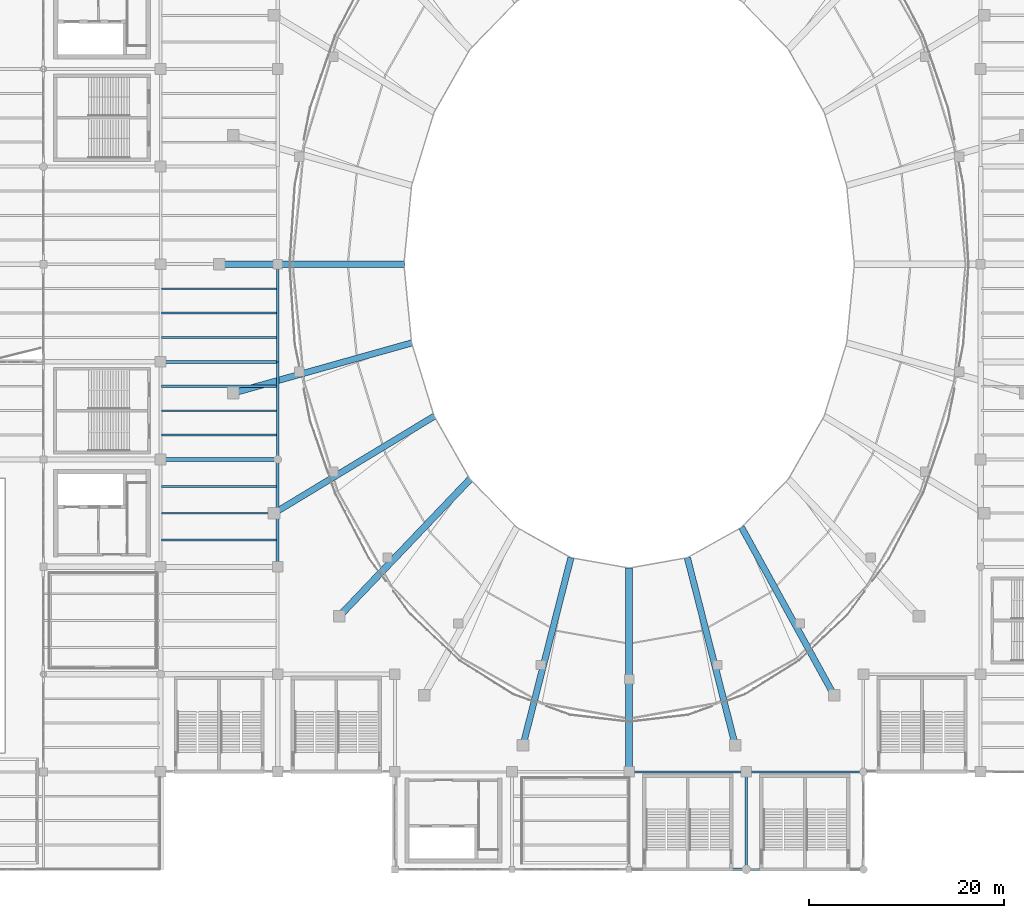
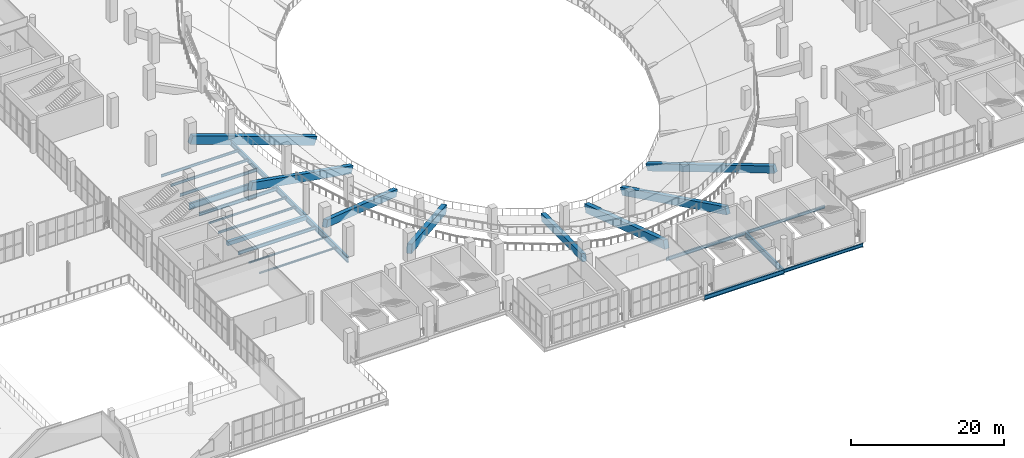
# One storey, part 41 of 136: 27 beams.
"""IFC4 building model written with IfcOpenShell, lengths in metres."""

from ifc_helpers import new_model, si_unit, direction, frame, origin, origin_2d, place, context, subcontext, project, spatial, rectangle, i_section, extrude, material, material_profile, profile_set, type_object, element, save


model = new_model("IFC4")

# Units and contexts
model_context = context("Model", 3, precision=1e-05, world=origin(), true_north=direction((0.0, 1.0)))
body_context = subcontext(model_context, "Body", "Model", "MODEL_VIEW")
ifc_project = project(units=[si_unit("LENGTHUNIT", "METRE"), si_unit("AREAUNIT", "SQUARE_METRE"), si_unit("VOLUMEUNIT", "CUBIC_METRE"), si_unit("PLANEANGLEUNIT", "RADIAN"), si_unit("MASSUNIT", "GRAM", prefix="KILO")], contexts=[model_context])

# Site, building, storey
site_placement = place(None, origin())
site = spatial("IfcSite", under=ifc_project, at=site_placement, CompositionType="ELEMENT")
building_placement = place(site_placement, origin())
building = spatial("IfcBuilding", under=site, at=building_placement, Name="Brinegate Civic Arena", CompositionType="ELEMENT")
storey_placement = place(building_placement, frame((0.0, 0.0, 5.39990234375)))
storey = spatial("IfcBuildingStorey", under=building, at=storey_placement, Name="L01", CompositionType="ELEMENT", Elevation=5.39990234375)

# Beams
ifc_material_1 = material(Name="Steel S355", Category="steel")
ifc_material_profile_1 = material_profile(ifc_material_1, i_section(OverallWidth=0.300048828125, OverallDepth=1.0, WebThickness=0.01904296875, FlangeThickness=0.031982421875, FilletRadius=0.02392578125, at=origin_2d()), Name="W1000X321")
ifc_profile_set_1 = profile_set([ifc_material_profile_1], Name="Steel S355")
beam_type_1 = type_object("IfcBeamType", Name="GIRDER-W1000X321", PredefinedType="BEAM", material=ifc_profile_set_1)
beam_1_placement = place(storey_placement, frame((60.0, 52.0, -0.83984375), z_axis=(1.0, 0.0, 0.0), x_axis=(0.0, 1.0, 0.0)))
element("IfcBeam", 1, at=beam_1_placement, inside=storey, type_object=beam_type_1, Name="Floor Girder BM-L01-GX-05-05", PredefinedType="BEAM", context=body_context, shape_type="SweptSolid", body=[
    extrude(i_section(OverallWidth=0.300048828125, OverallDepth=1.0, WebThickness=0.01904296875, FlangeThickness=0.031982421875, FilletRadius=0.02392578125, at=origin_2d()), origin(), (0.0, 0.0, 1.0), 12.0),
])
ifc_material_profile_2 = material_profile(ifc_material_1, i_section(OverallWidth=0.26806640625, OverallDepth=0.77001953125, WebThickness=0.01611328125, FlangeThickness=0.02490234375, FilletRadius=0.02001953125, at=origin_2d()), Name="W760X196")
ifc_profile_set_2 = profile_set([ifc_material_profile_2], Name="Steel S355")
beam_type_2 = type_object("IfcBeamType", Name="GIRDER-W760X196", PredefinedType="BEAM", material=ifc_profile_set_2)
beam_2_placement = place(storey_placement, frame((72.0, 52.0, -0.724853515625), z_axis=(0.0, 1.0, 0.0), x_axis=(-1.0, 0.0, 0.0)))
element("IfcBeam", 2, at=beam_2_placement, inside=storey, type_object=beam_type_2, Name="Floor Girder BM-L01-GY-06-05", PredefinedType="BEAM", context=body_context, shape_type="SweptSolid", body=[
    extrude(i_section(OverallWidth=0.26806640625, OverallDepth=0.77001953125, WebThickness=0.01611328125, FlangeThickness=0.02490234375, FilletRadius=0.02001953125, at=origin_2d()), origin(), (0.0, 0.0, 1.0), 10.0),
])
ifc_material_profile_3 = material_profile(ifc_material_1, i_section(OverallWidth=0.2939453125, OverallDepth=0.85107421875, WebThickness=0.01611328125, FlangeThickness=0.027099609375, FilletRadius=0.02197265625, at=origin_2d()), Name="W840X226")
ifc_profile_set_3 = profile_set([ifc_material_profile_3], Name="Steel S355")
beam_type_3 = type_object("IfcBeamType", Name="GIRDER-W840X226", PredefinedType="BEAM", material=ifc_profile_set_3)
for number, where, z_axis, x_axis, name in (
    (3, (72.0, 42.0, -0.764892578125), (0.0, 1.0, 0.0), (-1.0, 0.0, 0.0), "Floor Girder BM-L01-GY-06-04"),
    (4, (120.0, 0.0, -0.764892578125), (0.0, 1.0, 0.0), (-1.0, 0.0, 0.0), "Floor Girder BM-L01-GY-10-00"),
):
    element("IfcBeam", number, at=place(storey_placement, frame(where, z_axis=z_axis, x_axis=x_axis)), inside=storey, type_object=beam_type_3, Name=name, PredefinedType="BEAM", context=body_context, shape_type="SweptSolid", body=[
        extrude(i_section(OverallWidth=0.2939453125, OverallDepth=0.85107421875, WebThickness=0.01611328125, FlangeThickness=0.027099609375, FilletRadius=0.02197265625, at=origin_2d()), origin(), (0.0, 0.0, 1.0), 10.0),
    ])
ifc_material_profile_4 = material_profile(ifc_material_1, i_section(OverallWidth=0.30810546875, OverallDepth=0.927001953125, WebThickness=0.01904296875, FlangeThickness=0.031982421875, FilletRadius=0.02392578125, at=origin_2d()), Name="W920X289")
ifc_profile_set_4 = profile_set([ifc_material_profile_4], Name="Steel S355")
beam_type_4 = type_object("IfcBeamType", Name="GIRDER-W920X289", PredefinedType="BEAM", material=ifc_profile_set_4)
beam_3_placement = place(storey_placement, frame((72.0, 31.0, -0.802978515625), z_axis=(0.0, 1.0, 0.0), x_axis=(-1.0, 0.0, 0.0)))
element("IfcBeam", 5, at=beam_3_placement, inside=storey, type_object=beam_type_4, Name="Floor Girder BM-L01-GY-06-03", PredefinedType="BEAM", context=body_context, shape_type="SweptSolid", body=[
    extrude(i_section(OverallWidth=0.30810546875, OverallDepth=0.927001953125, WebThickness=0.01904296875, FlangeThickness=0.031982421875, FilletRadius=0.02392578125, at=origin_2d()), origin(), (0.0, 0.0, 1.0), 11.0),
])
ifc_material_profile_5 = material_profile(ifc_material_1, i_section(OverallWidth=0.14794921875, OverallDepth=0.26611328125, WebThickness=0.008056640625, FlangeThickness=0.012939453125, FilletRadius=0.011962890625, at=origin_2d()), Name="W250X45")
ifc_profile_set_5 = profile_set([ifc_material_profile_5], Name="Steel S355")
beam_type_5 = type_object("IfcBeamType", Name="JOIST-W250X45", PredefinedType="JOIST", material=ifc_profile_set_5)
beam_4_placement = place(storey_placement, frame((60.10595703125, 36.5, -0.472900390625), z_axis=(1.0, 0.0, 0.0), x_axis=(0.0, 1.0, 0.0)))
element("IfcBeam", 6, at=beam_4_placement, inside=storey, type_object=beam_type_5, Name="Secondary Joist BM-L01-JX-05-03-2", PredefinedType="JOIST", context=body_context, shape_type="SweptSolid", body=[
    extrude(i_section(OverallWidth=0.14794921875, OverallDepth=0.26611328125, WebThickness=0.008056640625, FlangeThickness=0.012939453125, FilletRadius=0.011962890625, at=origin_2d()), origin(), (0.0, 0.0, 1.0), 11.7880859375),
])
ifc_material_profile_6 = material_profile(ifc_material_1, i_section(OverallWidth=0.202880859375, OverallDepth=0.251953125, WebThickness=0.008056640625, FlangeThickness=0.013916015625, FilletRadius=0.011962890625, at=origin_2d()), Name="W250X58")
ifc_profile_set_6 = profile_set([ifc_material_profile_6], Name="Steel S355")
beam_type_6 = type_object("IfcBeamType", Name="JOIST-W250X58", PredefinedType="JOIST", material=ifc_profile_set_6)
beam_5_placement = place(storey_placement, frame((60.10595703125, 33.75, -0.4658203125), z_axis=(1.0, 0.0, 0.0), x_axis=(0.0, 1.0, 0.0)))
element("IfcBeam", 7, at=beam_5_placement, inside=storey, type_object=beam_type_6, Name="Secondary Joist BM-L01-JX-05-03-1", PredefinedType="JOIST", context=body_context, shape_type="SweptSolid", body=[
    extrude(i_section(OverallWidth=0.202880859375, OverallDepth=0.251953125, WebThickness=0.008056640625, FlangeThickness=0.013916015625, FilletRadius=0.011962890625, at=origin_2d()), origin(), (0.0, 0.0, 1.0), 11.7880859375),
])
ifc_material_profile_7 = material_profile(ifc_material_1, i_section(OverallWidth=0.1669921875, OverallDepth=0.31689453125, WebThickness=0.008056640625, FlangeThickness=0.012939453125, FilletRadius=0.012939453125, at=origin_2d()), Name="W310X52")
ifc_profile_set_7 = profile_set([ifc_material_profile_7], Name="Steel S355")
beam_type_7 = type_object("IfcBeamType", Name="JOIST-W310X52", PredefinedType="JOIST", material=ifc_profile_set_7)
beam_6_placement = place(storey_placement, frame((60.10595703125, 47.0, -0.497802734375), z_axis=(1.0, 0.0, 0.0), x_axis=(0.0, 1.0, 0.0)))
element("IfcBeam", 8, at=beam_6_placement, inside=storey, type_object=beam_type_7, Name="Secondary Joist BM-L01-JX-05-04-2", PredefinedType="JOIST", context=body_context, shape_type="SweptSolid", body=[
    extrude(i_section(OverallWidth=0.1669921875, OverallDepth=0.31689453125, WebThickness=0.008056640625, FlangeThickness=0.012939453125, FilletRadius=0.012939453125, at=origin_2d()), origin(), (0.0, 0.0, 1.0), 11.7880859375),
])
ifc_material_profile_8 = material_profile(ifc_material_1, i_section(OverallWidth=0.202880859375, OverallDepth=0.346923828125, WebThickness=0.008056640625, FlangeThickness=0.013916015625, FilletRadius=0.013916015625, at=origin_2d()), Name="W360X64")
ifc_profile_set_8 = profile_set([ifc_material_profile_8], Name="Steel S355")
beam_type_8 = type_object("IfcBeamType", Name="JOIST-W360X64", PredefinedType="JOIST", material=ifc_profile_set_8)
beam_7_placement = place(storey_placement, frame((60.10595703125, 44.5, -0.512939453125), z_axis=(1.0, 0.0, 0.0), x_axis=(0.0, 1.0, 0.0)))
element("IfcBeam", 9, at=beam_7_placement, inside=storey, type_object=beam_type_8, Name="Secondary Joist BM-L01-JX-05-04-1", PredefinedType="JOIST", context=body_context, shape_type="SweptSolid", body=[
    extrude(i_section(OverallWidth=0.202880859375, OverallDepth=0.346923828125, WebThickness=0.008056640625, FlangeThickness=0.013916015625, FilletRadius=0.013916015625, at=origin_2d()), origin(), (0.0, 0.0, 1.0), 11.7880859375),
])
ifc_material_profile_9 = material_profile(ifc_material_1, i_section(OverallWidth=0.178955078125, OverallDepth=0.409912109375, WebThickness=0.009033203125, FlangeThickness=0.013916015625, FilletRadius=0.013916015625, at=origin_2d()), Name="W410X67")
ifc_profile_set_9 = profile_set([ifc_material_profile_9], Name="Steel S355")
beam_type_9 = type_object("IfcBeamType", Name="JOIST-W410X67", PredefinedType="JOIST", material=ifc_profile_set_9)
beam_8_placement = place(storey_placement, frame((60.10595703125, 59.5, -0.544921875), z_axis=(1.0, 0.0, 0.0), x_axis=(0.0, 1.0, 0.0)))
element("IfcBeam", 10, at=beam_8_placement, inside=storey, type_object=beam_type_9, Name="Secondary Joist BM-L01-JX-05-05-3", PredefinedType="JOIST", context=body_context, shape_type="SweptSolid", body=[
    extrude(i_section(OverallWidth=0.178955078125, OverallDepth=0.409912109375, WebThickness=0.009033203125, FlangeThickness=0.013916015625, FilletRadius=0.013916015625, at=origin_2d()), origin(), (0.0, 0.0, 1.0), 11.7880859375),
])
ifc_material_profile_10 = material_profile(ifc_material_1, i_section(OverallWidth=0.180908203125, OverallDepth=0.4169921875, WebThickness=0.010986328125, FlangeThickness=0.01806640625, FilletRadius=0.013916015625, at=origin_2d()), Name="W410X85")
ifc_profile_set_10 = profile_set([ifc_material_profile_10], Name="Steel S355")
beam_type_10 = type_object("IfcBeamType", Name="JOIST-W410X85", PredefinedType="JOIST", material=ifc_profile_set_10)
beam_9_placement = place(storey_placement, frame((60.10595703125, 57.0, -0.5478515625), z_axis=(1.0, 0.0, 0.0), x_axis=(0.0, 1.0, 0.0)))
element("IfcBeam", 11, at=beam_9_placement, inside=storey, type_object=beam_type_10, Name="Secondary Joist BM-L01-JX-05-05-2", PredefinedType="JOIST", context=body_context, shape_type="SweptSolid", body=[
    extrude(i_section(OverallWidth=0.180908203125, OverallDepth=0.4169921875, WebThickness=0.010986328125, FlangeThickness=0.01806640625, FilletRadius=0.013916015625, at=origin_2d()), origin(), (0.0, 0.0, 1.0), 11.7880859375),
])
ifc_material_profile_11 = material_profile(ifc_material_1, i_section(OverallWidth=0.19091796875, OverallDepth=0.4599609375, WebThickness=0.010009765625, FlangeThickness=0.01611328125, FilletRadius=0.014892578125, at=origin_2d()), Name="W460X82")
ifc_profile_set_11 = profile_set([ifc_material_profile_11], Name="Steel S355")
beam_type_11 = type_object("IfcBeamType", Name="JOIST-W460X82", PredefinedType="JOIST", material=ifc_profile_set_11)
beam_10_placement = place(storey_placement, frame((60.10595703125, 54.5, -0.56982421875), z_axis=(1.0, 0.0, 0.0), x_axis=(0.0, 1.0, 0.0)))
element("IfcBeam", 12, at=beam_10_placement, inside=storey, type_object=beam_type_11, Name="Secondary Joist BM-L01-JX-05-05-1", PredefinedType="JOIST", context=body_context, shape_type="SweptSolid", body=[
    extrude(i_section(OverallWidth=0.19091796875, OverallDepth=0.4599609375, WebThickness=0.010009765625, FlangeThickness=0.01611328125, FilletRadius=0.014892578125, at=origin_2d()), origin(), (0.0, 0.0, 1.0), 11.7880859375),
])
ifc_material_profile_12 = material_profile(ifc_material_1, i_section(OverallWidth=0.2119140625, OverallDepth=0.5439453125, WebThickness=0.012939453125, FlangeThickness=0.02099609375, FilletRadius=0.01611328125, at=origin_2d()), Name="W530X123")
ifc_profile_set_12 = profile_set([ifc_material_profile_12], Name="Steel S355")
beam_type_12 = type_object("IfcBeamType", Name="JOIST-W530X123", PredefinedType="JOIST", material=ifc_profile_set_12)
beam_11_placement = place(storey_placement, frame((60.10595703125, 39.25, -0.61181640625), z_axis=(1.0, 0.0, 0.0), x_axis=(0.0, 1.0, 0.0)))
element("IfcBeam", 13, at=beam_11_placement, inside=storey, type_object=beam_type_12, Name="Secondary Joist BM-L01-JX-05-03-3", PredefinedType="JOIST", context=body_context, shape_type="SweptSolid", body=[
    extrude(i_section(OverallWidth=0.2119140625, OverallDepth=0.5439453125, WebThickness=0.012939453125, FlangeThickness=0.02099609375, FilletRadius=0.01611328125, at=origin_2d()), origin(), (0.0, 0.0, 1.0), 11.7880859375),
])
ifc_material_profile_13 = material_profile(ifc_material_1, i_section(OverallWidth=0.214111328125, OverallDepth=0.549072265625, WebThickness=0.014892578125, FlangeThickness=0.02392578125, FilletRadius=0.01611328125, at=origin_2d()), Name="W530X138")
ifc_profile_set_13 = profile_set([ifc_material_profile_13], Name="Steel S355")
beam_type_13 = type_object("IfcBeamType", Name="JOIST-W530X138", PredefinedType="JOIST", material=ifc_profile_set_13)
beam_12_placement = place(storey_placement, frame((60.10595703125, 49.5, -0.614013671875), z_axis=(1.0, 0.0, 0.0), x_axis=(0.0, 1.0, 0.0)))
element("IfcBeam", 14, at=beam_12_placement, inside=storey, type_object=beam_type_13, Name="Secondary Joist BM-L01-JX-05-04-3", PredefinedType="JOIST", context=body_context, shape_type="SweptSolid", body=[
    extrude(i_section(OverallWidth=0.214111328125, OverallDepth=0.549072265625, WebThickness=0.014892578125, FlangeThickness=0.02392578125, FilletRadius=0.01611328125, at=origin_2d()), origin(), (0.0, 0.0, 1.0), 11.7880859375),
])
ifc_material_2 = material(Name="Concrete C50/60", Category="concrete")
ifc_material_profile_14 = material_profile(ifc_material_2, rectangle(XDim=0.64990234375, YDim=1.10009765625, at=origin_2d()), Name="RKR650X1100")
ifc_profile_set_14 = profile_set([ifc_material_profile_14], Name="Concrete C50/60")
beam_type_14 = type_object("IfcBeamType", Name="RAKER-RKR650X1100", PredefinedType="USERDEFINED", material=ifc_profile_set_14)
beam_13_placement = place(storey_placement, frame((87.907958984375, 46.35009765625, -4.89990234375), z_axis=(-0.807034448443, -0.488260258474, 0.332110401857), x_axis=(0.517641309359, -0.85559772957, 0.0)))
element("IfcBeam", 15, at=beam_13_placement, inside=storey, type_object=beam_type_14, Name="Lower Bowl Raker Girder RKR-LWR-15", ObjectType="RAKER GIRDER", PredefinedType="USERDEFINED", context=body_context, shape_type="SweptSolid", body=[
    extrude(rectangle(XDim=0.64990234375, YDim=1.10009765625, at=origin_2d()), origin(), (0.0, 0.0, 1.0), 20.173828125),
])
beam_14_placement = place(storey_placement, frame((101.9951171875, 31.76708984375, -4.89990234375), z_axis=(-0.234441304423, -0.916953963801, 0.322850899101), x_axis=(0.968835247704, -0.247706000747, 0.0)))
element("IfcBeam", 16, at=beam_14_placement, inside=storey, type_object=beam_type_14, Name="Lower Bowl Raker Girder RKR-LWR-18", ObjectType="RAKER GIRDER", PredefinedType="USERDEFINED", context=body_context, shape_type="SweptSolid", body=[
    extrude(rectangle(XDim=0.64990234375, YDim=1.10009765625, at=origin_2d()), origin(), (0.0, 0.0, 1.0), 20.75244140625),
])
beam_15_placement = place(storey_placement, frame((119.60009765625, 34.89306640625, -4.89990234375), z_axis=(0.456341906556, -0.828223462322, 0.325265984666), x_axis=(0.875849933393, 0.482583561858, 0.0)))
element("IfcBeam", 17, at=beam_15_placement, inside=storey, type_object=beam_type_14, Name="Lower Bowl Raker Girder RKR-LWR-21", ObjectType="RAKER GIRDER", PredefinedType="USERDEFINED", context=body_context, shape_type="SweptSolid", body=[
    extrude(rectangle(XDim=0.64990234375, YDim=1.10009765625, at=origin_2d()), origin(), (0.0, 0.0, 1.0), 20.598388671875),
])
ifc_material_profile_15 = material_profile(ifc_material_2, rectangle(XDim=0.64990234375, YDim=1.199951171875, at=origin_2d()), Name="RKR650X1200")
ifc_profile_set_15 = profile_set([ifc_material_profile_15], Name="Concrete C50/60")
beam_type_15 = type_object("IfcBeamType", Name="RAKER-RKR650X1200", PredefinedType="USERDEFINED", material=ifc_profile_set_15)
beam_16_placement = place(storey_placement, frame((85.591064453125, 53.89892578125, -4.89990234375), z_axis=(-0.907237931678, -0.254727686103, 0.334713521174), x_axis=(0.270319746837, -0.962770603244, 0.0)))
element("IfcBeam", 18, at=beam_16_placement, inside=storey, type_object=beam_type_15, Name="Lower Bowl Raker Girder RKR-LWR-14", ObjectType="RAKER GIRDER", PredefinedType="USERDEFINED", context=body_context, shape_type="SweptSolid", body=[
    extrude(rectangle(XDim=0.64990234375, YDim=1.199951171875, at=origin_2d()), origin(), (0.0, 0.0, 1.0), 20.01708984375),
])
beam_17_placement = place(storey_placement, frame((114.0048828125, 31.76708984375, -4.89990234375), z_axis=(0.234441304423, -0.916953963801, 0.322850899101), x_axis=(0.968835247704, 0.247706000747, 0.0)))
element("IfcBeam", 19, at=beam_17_placement, inside=storey, type_object=beam_type_15, Name="Lower Bowl Raker Girder RKR-LWR-20", ObjectType="RAKER GIRDER", PredefinedType="USERDEFINED", context=body_context, shape_type="SweptSolid", body=[
    extrude(rectangle(XDim=0.64990234375, YDim=1.199951171875, at=origin_2d()), origin(), (0.0, 0.0, 1.0), 20.75244140625),
])
ifc_material_profile_16 = material_profile(ifc_material_2, rectangle(XDim=0.699951171875, YDim=1.300048828125, at=origin_2d()), Name="RKR700X1300")
ifc_profile_set_16 = profile_set([ifc_material_profile_16], Name="Concrete C50/60")
beam_type_16 = type_object("IfcBeamType", Name="RAKER-RKR700X1300", PredefinedType="USERDEFINED", material=ifc_profile_set_16)
beam_18_placement = place(storey_placement, frame((84.800048828125, 62.0, -4.89990234375), z_axis=(-0.941969465095, 0.0, 0.335698565426), x_axis=(0.0, -1.0, 0.0)))
element("IfcBeam", 20, at=beam_18_placement, inside=storey, type_object=beam_type_16, Name="Lower Bowl Raker Girder RKR-LWR-13", ObjectType="RAKER GIRDER", PredefinedType="USERDEFINED", context=body_context, shape_type="SweptSolid", body=[
    extrude(rectangle(XDim=0.699951171875, YDim=1.300048828125, at=origin_2d()), origin(), (0.0, 0.0, 1.0), 19.958251953125),
])
beam_19_placement = place(storey_placement, frame((91.594970703125, 39.867919921875, -4.89990234375), z_axis=(-0.652027240531, -0.683270611648, 0.328636195304), x_axis=(0.723453696653, -0.690372905609, 0.0)))
element("IfcBeam", 21, at=beam_19_placement, inside=storey, type_object=beam_type_16, Name="Lower Bowl Raker Girder RKR-LWR-16", ObjectType="RAKER GIRDER", PredefinedType="USERDEFINED", context=body_context, shape_type="SweptSolid", body=[
    extrude(rectangle(XDim=0.699951171875, YDim=1.300048828125, at=origin_2d()), origin(), (0.0, 0.0, 1.0), 20.38720703125),
])
beam_20_placement = place(storey_placement, frame((108.0, 30.699951171875, -4.89990234375), z_axis=(0.0, -0.951405364343, 0.307941281254), x_axis=(1.0, 0.0, 0.0)))
element("IfcBeam", 22, at=beam_20_placement, inside=storey, type_object=beam_type_16, Name="Lower Bowl Raker Girder RKR-LWR-19", ObjectType="RAKER GIRDER", PredefinedType="USERDEFINED", context=body_context, shape_type="SweptSolid", body=[
    extrude(rectangle(XDim=0.699951171875, YDim=1.300048828125, at=origin_2d()), origin(), (0.0, 0.0, 1.0), 21.75732421875),
])
ifc_material_profile_17 = material_profile(ifc_material_2, rectangle(XDim=0.449951171875, YDim=0.64990234375, at=origin_2d()), Name="RCB450X650")
ifc_profile_set_17 = profile_set([ifc_material_profile_17], Name="Concrete C50/60")
beam_type_17 = type_object("IfcBeamType", Name="RCG-450X650", PredefinedType="BEAM", material=ifc_profile_set_17)
beam_21_placement = place(storey_placement, frame((60.0, 42.0, -0.664794921875), z_axis=(1.0, 0.0, 0.0), x_axis=(0.0, 1.0, 0.0)))
element("IfcBeam", 23, at=beam_21_placement, inside=storey, type_object=beam_type_17, Name="Floor Girder BM-L01-GX-05-04", PredefinedType="BEAM", context=body_context, shape_type="SweptSolid", body=[
    extrude(rectangle(XDim=0.449951171875, YDim=0.64990234375, at=origin_2d()), origin(), (0.0, 0.0, 1.0), 12.0),
])
ifc_material_profile_18 = material_profile(ifc_material_1, i_section(OverallWidth=0.193115234375, OverallDepth=0.466064453125, WebThickness=0.010986328125, FlangeThickness=0.01904296875, FilletRadius=0.014892578125, at=origin_2d()), Name="W460X97")
ifc_profile_set_18 = profile_set([ifc_material_profile_18], Name="Steel S355")
beam_type_18 = type_object("IfcBeamType", Name="SPANDREL-W460X97", PredefinedType="SPANDREL", material=ifc_profile_set_18)
beam_22_placement = place(storey_placement, frame((120.0, 10.0, -0.572998046875), z_axis=(1.0, 0.0, 0.0), x_axis=(0.0, 1.0, 0.0)))
element("IfcBeam", 24, at=beam_22_placement, inside=storey, type_object=beam_type_18, Name="Floor Girder BM-L01-GX-10-01", PredefinedType="SPANDREL", context=body_context, shape_type="SweptSolid", body=[
    extrude(i_section(OverallWidth=0.193115234375, OverallDepth=0.466064453125, WebThickness=0.010986328125, FlangeThickness=0.01904296875, FilletRadius=0.014892578125, at=origin_2d()), origin(), (0.0, 0.0, 1.0), 12.0),
])
ifc_material_profile_19 = material_profile(ifc_material_1, i_section(OverallWidth=0.2119140625, OverallDepth=0.5439453125, WebThickness=0.012939453125, FlangeThickness=0.02099609375, FilletRadius=0.01611328125, at=origin_2d()), Name="W530X123")
ifc_profile_set_19 = profile_set([ifc_material_profile_19], Name="Steel S355")
beam_type_19 = type_object("IfcBeamType", Name="SPANDREL-W530X123", PredefinedType="SPANDREL", material=ifc_profile_set_19)
for number, where, z_axis, x_axis, name in (
    (25, (120.0, 0.0, -0.61181640625), (1.0, 0.0, 0.0), (0.0, 1.0, 0.0), "Floor Girder BM-L01-GX-10-00"),
    (26, (108.0, 10.0, -0.61181640625), (1.0, 0.0, 0.0), (0.0, 1.0, 0.0), "Floor Girder BM-L01-GX-09-01"),
):
    element("IfcBeam", number, at=place(storey_placement, frame(where, z_axis=z_axis, x_axis=x_axis)), inside=storey, type_object=beam_type_19, Name=name, PredefinedType="SPANDREL", context=body_context, shape_type="SweptSolid", body=[
        extrude(i_section(OverallWidth=0.2119140625, OverallDepth=0.5439453125, WebThickness=0.012939453125, FlangeThickness=0.02099609375, FilletRadius=0.01611328125, at=origin_2d()), origin(), (0.0, 0.0, 1.0), 12.0),
    ])
ifc_material_profile_20 = material_profile(ifc_material_1, i_section(OverallWidth=0.256103515625, OverallDepth=0.693115234375, WebThickness=0.014892578125, FlangeThickness=0.02392578125, FilletRadius=0.01806640625, at=origin_2d()), Name="W690X170")
ifc_profile_set_20 = profile_set([ifc_material_profile_20], Name="Steel S355")
beam_type_20 = type_object("IfcBeamType", Name="SPANDREL-W690X170", PredefinedType="SPANDREL", material=ifc_profile_set_20)
beam_23_placement = place(storey_placement, frame((108.0, 0.0, -0.685791015625), z_axis=(1.0, 0.0, 0.0), x_axis=(0.0, 1.0, 0.0)))
element("IfcBeam", 27, at=beam_23_placement, inside=storey, type_object=beam_type_20, Name="Floor Girder BM-L01-GX-09-00", PredefinedType="SPANDREL", context=body_context, shape_type="SweptSolid", body=[
    extrude(i_section(OverallWidth=0.256103515625, OverallDepth=0.693115234375, WebThickness=0.014892578125, FlangeThickness=0.02392578125, FilletRadius=0.01806640625, at=origin_2d()), origin(), (0.0, 0.0, 1.0), 12.0),
])

save(model, "model.ifc")
